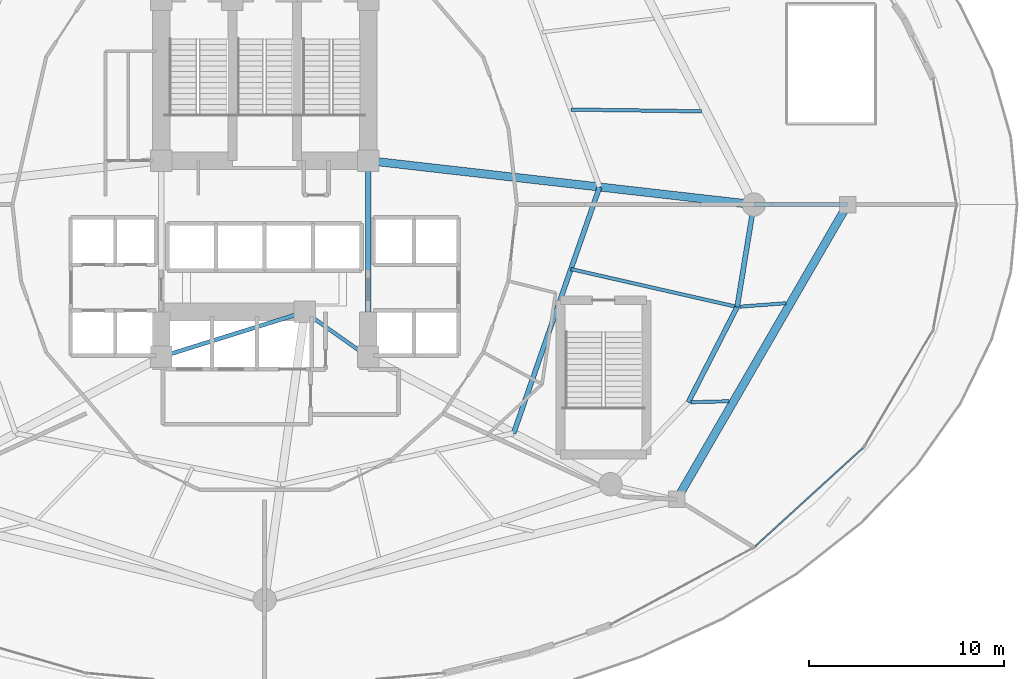
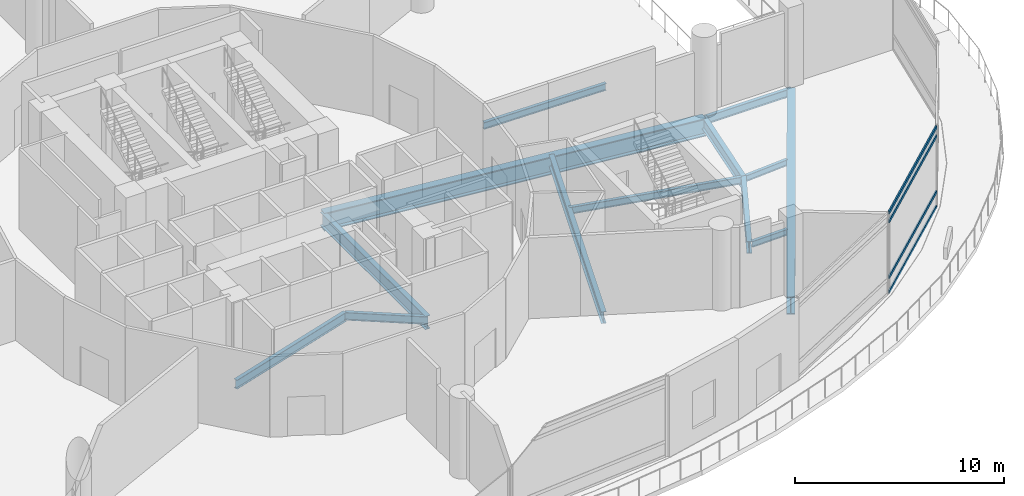
# One storey, part 12 of 36: 13 beams, 4 members, 1 element without a shape of its own.
"""IFC4 building model written with IfcOpenShell, lengths in metres."""

from ifc_helpers import new_model, si_unit, direction, frame, origin, origin_2d, place, context, subcontext, project, spatial, hollow_rectangle, i_section, extrude, material, layer, layer_set, material_profile, profile_set, type_object, element, aggregate, save


model = new_model("IFC4")

# Units and contexts
model_context = context("Model", 3, precision=1e-05, world=origin(), true_north=direction((0.0, 1.0)))
body_context = subcontext(model_context, "Body", "Model", "MODEL_VIEW")
ifc_project = project(units=[si_unit("LENGTHUNIT", "METRE"), si_unit("AREAUNIT", "SQUARE_METRE"), si_unit("VOLUMEUNIT", "CUBIC_METRE"), si_unit("PLANEANGLEUNIT", "RADIAN"), si_unit("MASSUNIT", "GRAM", prefix="KILO")], contexts=[model_context])

# Site, building, storey
site_placement = place(None, origin())
site = spatial("IfcSite", under=ifc_project, at=site_placement, CompositionType="ELEMENT")
building_placement = place(site_placement, origin())
building = spatial("IfcBuilding", under=site, at=building_placement, Name="Nuhasar Tower", CompositionType="ELEMENT")
storey_placement = place(building_placement, frame((0.0, 0.0, 11.0)))
storey = spatial("IfcBuildingStorey", under=building, at=storey_placement, Name="L02", CompositionType="ELEMENT", Elevation=11.0)

# Beams
ifc_material_1 = material(Name="Steel S355", Category="steel")
ifc_material_profile_1 = material_profile(ifc_material_1, i_section(OverallWidth=0.25390625, OverallDepth=0.68408203125, WebThickness=0.012451171875, FlangeThickness=0.018798828125, at=origin_2d()), Name="W27X94")
ifc_profile_set_1 = profile_set([ifc_material_profile_1], Name="Steel S355")
beam_type_1 = type_object("IfcBeamType", Name="BM-INRING-W27X94", PredefinedType="BEAM", material=ifc_profile_set_1)
beam_1_placement = place(storey_placement, frame((51.748046875, 15.089111328125, -0.64208984375), z_axis=(0.329554049858, 0.944136710558, 0.0), x_axis=(-0.944136710558, 0.329554049858, 0.0)))
element("IfcBeam", 1, at=beam_1_placement, inside=storey, type_object=beam_type_1, Name="L02 Inner Header Beam 03", PredefinedType="BEAM", context=body_context, shape_type="SweptSolid", body=[
    extrude(i_section(OverallWidth=0.25390625, OverallDepth=0.68408203125, WebThickness=0.012451171875, FlangeThickness=0.018798828125, at=origin_2d()), origin(), (0.0, 0.0, 1.0), 13.35693359375),
])
ifc_material_profile_2 = material_profile(ifc_material_1, i_section(OverallWidth=0.1708984375, OverallDepth=0.35205078125, WebThickness=0.0068359375, FlangeThickness=0.009765625, at=origin_2d()), Name="W14X30")
ifc_profile_set_2 = profile_set([ifc_material_profile_2], Name="Steel S355")
beam_type_2 = type_object("IfcBeamType", Name="BM-JST-W14X30", PredefinedType="JOIST", material=ifc_profile_set_2)
beam_2_placement = place(storey_placement, frame((60.8349609375, 16.678955078125, -0.47607421875), z_axis=(0.999669118489, 0.025722626998, 0.0), x_axis=(-0.025722626998, 0.999669118489, 0.0)))
element("IfcBeam", 2, at=beam_2_placement, inside=storey, type_object=beam_type_2, Name="L02 Podium Secondary Joist 05", PredefinedType="JOIST", context=body_context, shape_type="SweptSolid", body=[
    extrude(i_section(OverallWidth=0.1708984375, OverallDepth=0.35205078125, WebThickness=0.0068359375, FlangeThickness=0.009765625, at=origin_2d()), origin(), (0.0, 0.0, 1.0), 1.94580078125),
])
beam_3_placement = place(storey_placement, frame((63.341064453125, 21.570068359375, -0.47607421875), z_axis=(0.997103115236, 0.076061669629, 0.0), x_axis=(-0.076061669629, 0.997103115236, 0.0)))
element("IfcBeam", 3, at=beam_3_placement, inside=storey, type_object=beam_type_2, Name="L02 Podium Secondary Joist 06", PredefinedType="JOIST", context=body_context, shape_type="SweptSolid", body=[
    extrude(i_section(OverallWidth=0.1708984375, OverallDepth=0.35205078125, WebThickness=0.0068359375, FlangeThickness=0.009765625, at=origin_2d()), origin(), (0.0, 0.0, 1.0), 2.352783203125),
])
ifc_material_profile_3 = material_profile(ifc_material_1, i_section(OverallWidth=0.177978515625, OverallDepth=0.406005859375, WebThickness=0.0078125, FlangeThickness=0.0126953125, at=origin_2d()), Name="W16X40")
ifc_profile_set_3 = profile_set([ifc_material_profile_3], Name="Steel S355")
beam_type_3 = type_object("IfcBeamType", Name="BM-JST-W16X40", PredefinedType="JOIST", material=ifc_profile_set_3)
beam_4_placement = place(storey_placement, frame((54.68310546875, 23.49609375, -0.5029296875), z_axis=(0.975061715499, -0.221933888733, 0.0), x_axis=(0.221933888733, 0.975061715499, 0.0)))
element("IfcBeam", 4, at=beam_4_placement, inside=storey, type_object=beam_type_3, Name="L02 Secondary Floor Joist 06", PredefinedType="JOIST", context=body_context, shape_type="SweptSolid", body=[
    extrude(i_section(OverallWidth=0.177978515625, OverallDepth=0.406005859375, WebThickness=0.0078125, FlangeThickness=0.0126953125, at=origin_2d()), origin(), (0.0, 0.0, 1.0), 8.6025390625),
])
beam_5_placement = place(storey_placement, frame((54.68310546875, 31.6640625, -0.5029296875), z_axis=(0.999913180567, -0.013176924078, 0.0), x_axis=(0.013176924078, 0.999913180567, 0.0)))
element("IfcBeam", 5, at=beam_5_placement, inside=storey, type_object=beam_type_3, Name="L02 Secondary Floor Joist 07", PredefinedType="JOIST", context=body_context, shape_type="SweptSolid", body=[
    extrude(i_section(OverallWidth=0.177978515625, OverallDepth=0.406005859375, WebThickness=0.0078125, FlangeThickness=0.0126953125, at=origin_2d()), origin(), (0.0, 0.0, 1.0), 6.6884765625),
])
ifc_material_profile_4 = material_profile(ifc_material_1, i_section(OverallWidth=0.18994140625, OverallDepth=0.45703125, WebThickness=0.009033203125, FlangeThickness=0.014404296875, at=origin_2d()), Name="W18X50")
ifc_profile_set_4 = profile_set([ifc_material_profile_4], Name="Steel S355")
beam_type_4 = type_object("IfcBeamType", Name="BM-RAD-W18X50", PredefinedType="BEAM", material=ifc_profile_set_4)
beam_6_placement = place(storey_placement, frame((41.050048828125, 21.300048828125, -0.529052734375), z_axis=(0.816265428953, -0.577677028708, 0.0), x_axis=(0.577677028708, 0.816265428953, 0.0)))
element("IfcBeam", 6, at=beam_6_placement, inside=storey, type_object=beam_type_4, Name="L02 Core Ring Girder 2", PredefinedType="BEAM", context=body_context, shape_type="SweptSolid", body=[
    extrude(i_section(OverallWidth=0.18994140625, OverallDepth=0.45703125, WebThickness=0.009033203125, FlangeThickness=0.014404296875, at=origin_2d()), origin(), (0.0, 0.0, 1.0), 3.9814453125),
])
beam_7_placement = place(storey_placement, frame((64.050048828125, 26.800048828125, -0.529052734375), z_axis=(1.0, 0.0, 0.0), x_axis=(0.0, 1.0, 0.0)))
element("IfcBeam", 7, at=beam_7_placement, inside=storey, type_object=beam_type_4, Name="L02 Podium Radial Girder 04", PredefinedType="BEAM", context=body_context, shape_type="SweptSolid", body=[
    extrude(i_section(OverallWidth=0.18994140625, OverallDepth=0.45703125, WebThickness=0.009033203125, FlangeThickness=0.014404296875, at=origin_2d()), origin(), (0.0, 0.0, 1.0), 4.800048828125),
])
ifc_material_profile_5 = material_profile(ifc_material_1, i_section(OverallWidth=0.208984375, OverallDepth=0.532958984375, WebThickness=0.01025390625, FlangeThickness=0.015625, at=origin_2d()), Name="W21X62")
ifc_profile_set_5 = profile_set([ifc_material_profile_5], Name="Steel S355")
beam_type_5 = type_object("IfcBeamType", Name="BM-RAD-W21X62", PredefinedType="BEAM", material=ifc_profile_set_5)
beam_8_placement = place(storey_placement, frame((33.699951171875, 19.0, -0.56689453125), z_axis=(0.954363709454, 0.298646798205, 0.0), x_axis=(-0.298646798205, 0.954363709454, 0.0)))
element("IfcBeam", 8, at=beam_8_placement, inside=storey, type_object=beam_type_5, Name="L02 Core Ring Girder 1", PredefinedType="BEAM", context=body_context, shape_type="SweptSolid", body=[
    extrude(i_section(OverallWidth=0.208984375, OverallDepth=0.532958984375, WebThickness=0.01025390625, FlangeThickness=0.015625, at=origin_2d()), origin(), (0.0, 0.0, 1.0), 7.70166015625),
])
ifc_material_profile_6 = material_profile(ifc_material_1, i_section(OverallWidth=0.26611328125, OverallDepth=0.779052734375, WebThickness=0.0166015625, FlangeThickness=0.030029296875, at=origin_2d()), Name="W30X148")
ifc_profile_set_6 = profile_set([ifc_material_profile_6], Name="Steel S355")
beam_type_6 = type_object("IfcBeamType", Name="BM-RAD-W30X148", PredefinedType="BEAM", material=ifc_profile_set_6)
beam_9_placement = place(storey_placement, frame((44.300048828125, 19.0, -0.68994140625), z_axis=(0.0, 1.0, 0.0), x_axis=(-1.0, 0.0, 0.0)))
element("IfcBeam", 9, at=beam_9_placement, inside=storey, type_object=beam_type_6, Name="L02 Core Ring Girder 3", PredefinedType="BEAM", context=body_context, shape_type="SweptSolid", body=[
    extrude(i_section(OverallWidth=0.26611328125, OverallDepth=0.779052734375, WebThickness=0.0166015625, FlangeThickness=0.030029296875, at=origin_2d()), origin(), (0.0, 0.0, 1.0), 10.050048828125),
])
ifc_material_profile_7 = material_profile(ifc_material_1, i_section(OverallWidth=0.256103515625, OverallDepth=0.693115234375, WebThickness=0.014404296875, FlangeThickness=0.023681640625, at=origin_2d()), Name="W27X114")
ifc_profile_set_7 = profile_set([ifc_material_profile_7], Name="Steel S355")
beam_type_7 = type_object("IfcBeamType", Name="BM-RING-W27X114", PredefinedType="SPANDREL", material=ifc_profile_set_7)
beam_10_placement = place(storey_placement, frame((60.694091796875, 16.675048828125, -0.64697265625), z_axis=(0.455930023905, 0.890015625314, 0.0), x_axis=(-0.890015625314, 0.455930023905, 0.0)))
element("IfcBeam", 10, at=beam_10_placement, inside=storey, type_object=beam_type_7, Name="L02 Mega-Column Perimeter Ring Spandrel 03-2", PredefinedType="SPANDREL", context=body_context, shape_type="SweptSolid", body=[
    extrude(i_section(OverallWidth=0.256103515625, OverallDepth=0.693115234375, WebThickness=0.014404296875, FlangeThickness=0.023681640625, at=origin_2d()), origin(), (0.0, 0.0, 1.0), 5.487548828125),
])
beam_11_placement = place(storey_placement, frame((63.196044921875, 21.55908203125, -0.64697265625), z_axis=(0.160826635486, 0.986982671235, 0.0), x_axis=(-0.986982671235, 0.160826635486, 0.0)))
element("IfcBeam", 11, at=beam_11_placement, inside=storey, type_object=beam_type_7, Name="L02 Mega-Column Perimeter Ring Spandrel 03-3", PredefinedType="SPANDREL", context=body_context, shape_type="SweptSolid", body=[
    extrude(i_section(OverallWidth=0.256103515625, OverallDepth=0.693115234375, WebThickness=0.014404296875, FlangeThickness=0.023681640625, at=origin_2d()), origin(), (0.0, 0.0, 1.0), 5.31005859375),
])
ifc_material_2 = material(Name="Steel S460", Category="steel")
ifc_material_profile_8 = material_profile(ifc_material_2, i_section(OverallWidth=0.419921875, OverallDepth=1.0400390625, WebThickness=0.031005859375, FlangeThickness=0.055908203125, at=origin_2d()), Name="W40X397")
ifc_profile_set_8 = profile_set([ifc_material_profile_8], Name="Steel S460")
beam_type_8 = type_object("IfcBeamType", Name="BM-XFER-W40X397", PredefinedType="USERDEFINED", material=ifc_profile_set_8)
beam_12_placement = place(storey_placement, frame((44.300048828125, 29.050048828125, -0.820068359375), z_axis=(0.993573147212, -0.113191877531, 0.0), x_axis=(0.113191877531, 0.993573147212, 0.0)))
element("IfcBeam", 12, at=beam_12_placement, inside=storey, type_object=beam_type_8, Name="L02 Radial Floor Girder 04", ObjectType="GIRDER", PredefinedType="USERDEFINED", context=body_context, shape_type="SweptSolid", body=[
    extrude(i_section(OverallWidth=0.419921875, OverallDepth=1.0400390625, WebThickness=0.031005859375, FlangeThickness=0.055908203125, at=origin_2d()), origin(), (0.0, 0.0, 1.0), 19.877685546875),
])
beam_13_placement = place(storey_placement, frame((60.10693359375, 11.702880859375, -0.820068359375), z_axis=(0.501152108266, 0.865359211184, 0.0), x_axis=(-0.865359211184, 0.501152108266, 0.0)))
element("IfcBeam", 13, at=beam_13_placement, inside=storey, type_object=beam_type_8, Name="L02 Podium Ring Girder 03", ObjectType="GIRDER", PredefinedType="USERDEFINED", context=body_context, shape_type="SweptSolid", body=[
    extrude(i_section(OverallWidth=0.419921875, OverallDepth=1.0400390625, WebThickness=0.031005859375, FlangeThickness=0.055908203125, at=origin_2d()), origin(), (0.0, 0.0, 1.0), 17.446044921875),
])

# Curtain wall, members
ifc_material_3 = material(Name="Aluminium 6063-T6", Category="aluminium")
ifc_layer = layer(ifc_material_3, 0.219970703125)
ifc_layer_set = layer_set([ifc_layer], Name="Aluminium 6063-T6")
curtain_wall_type = type_object("IfcCurtainWallType", Name="CW-PODIUM", PredefinedType="NOTDEFINED", material=ifc_layer_set)
curtain_wall_placement = place(storey_placement, origin())
curtain_wall = element("IfcCurtainWall", 14, at=curtain_wall_placement, inside=storey, type_object=curtain_wall_type, Name="L02 Podium Curtain Wall Bay 22", PredefinedType="NOTDEFINED")
ifc_material_profile_9 = material_profile(ifc_material_3, hollow_rectangle(XDim=0.074951171875, YDim=0.179931640625, WallThickness=0.00439453125, at=origin_2d()), Name="CWT-1")
ifc_profile_set_9 = profile_set([ifc_material_profile_9], Name="Aluminium 6063-T6")
member_type = type_object("IfcMemberType", Name="CW-TRN-S1", PredefinedType="USERDEFINED", material=ifc_profile_set_9)
member_1_placement = place(storey_placement, frame((64.115478515625, 9.28564453125, 0.03759765625), z_axis=(0.738314426229, 0.674456676164, 0.0), x_axis=(-0.674456676164, 0.738314426229, 0.0)))
member_1 = element("IfcMember", 15, at=member_1_placement, type_object=member_type, Name="CW-P1 transom 1.1", ObjectType="TRANSOM", PredefinedType="USERDEFINED", context=body_context, shape_type="SweptSolid", body=[
    extrude(hollow_rectangle(XDim=0.074951171875, YDim=0.179931640625, WallThickness=0.00439453125, at=origin_2d()), origin(), (0.0, 0.0, 1.0), 7.478271484375),
])
member_2_placement = place(storey_placement, frame((64.115478515625, 9.28564453125, 0.89990234375), z_axis=(0.738314426229, 0.674456676164, 0.0), x_axis=(-0.674456676164, 0.738314426229, 0.0)))
member_2 = element("IfcMember", 16, at=member_2_placement, type_object=member_type, Name="CW-P1 transom 1.2", ObjectType="TRANSOM", PredefinedType="USERDEFINED", context=body_context, shape_type="SweptSolid", body=[
    extrude(hollow_rectangle(XDim=0.074951171875, YDim=0.179931640625, WallThickness=0.00439453125, at=origin_2d()), origin(), (0.0, 0.0, 1.0), 7.478271484375),
])
member_3_placement = place(storey_placement, frame((64.115478515625, 9.28564453125, 4.14990234375), z_axis=(0.738314426229, 0.674456676164, 0.0), x_axis=(-0.674456676164, 0.738314426229, 0.0)))
member_3 = element("IfcMember", 17, at=member_3_placement, type_object=member_type, Name="CW-P1 transom 1.3", ObjectType="TRANSOM", PredefinedType="USERDEFINED", context=body_context, shape_type="SweptSolid", body=[
    extrude(hollow_rectangle(XDim=0.074951171875, YDim=0.179931640625, WallThickness=0.00439453125, at=origin_2d()), origin(), (0.0, 0.0, 1.0), 7.478271484375),
])
member_4_placement = place(storey_placement, frame((64.115478515625, 9.28564453125, 4.66259765625), z_axis=(0.738314426229, 0.674456676164, 0.0), x_axis=(-0.674456676164, 0.738314426229, 0.0)))
member_4 = element("IfcMember", 18, at=member_4_placement, type_object=member_type, Name="CW-P1 transom 1.4", ObjectType="TRANSOM", PredefinedType="USERDEFINED", context=body_context, shape_type="SweptSolid", body=[
    extrude(hollow_rectangle(XDim=0.074951171875, YDim=0.179931640625, WallThickness=0.00439453125, at=origin_2d()), origin(), (0.0, 0.0, 1.0), 7.478271484375),
])
aggregate(curtain_wall, [member_1, member_2, member_3, member_4])

save(model, "model.ifc")
